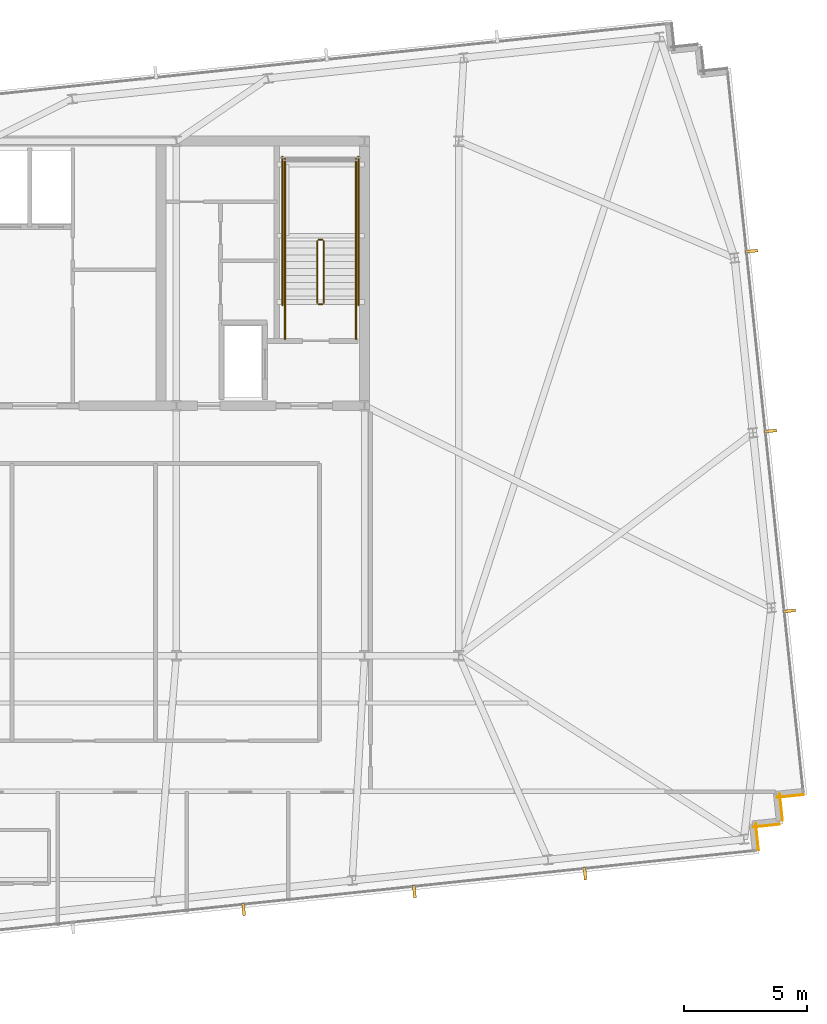
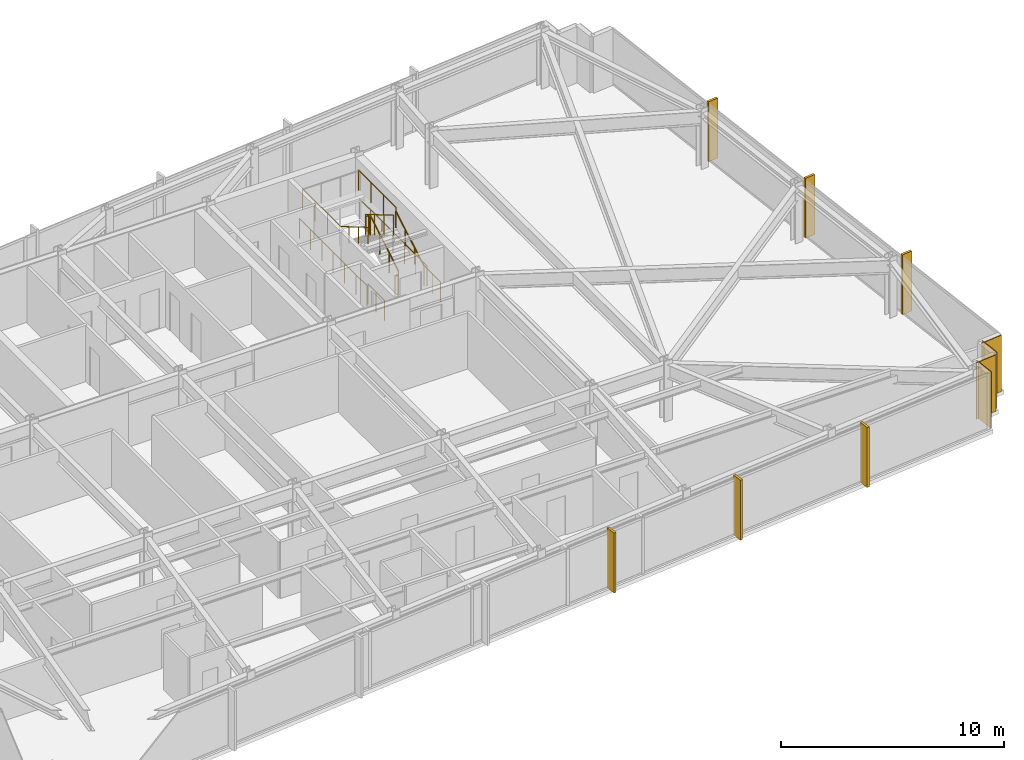
# One storey, part 31 of 32: 12 railings, 6 shading devices, 4 coverings.
"""IFC4 building model written with IfcOpenShell, lengths in metres."""

from ifc_helpers import new_model, si_unit, direction, frame, frame_2d, origin, origin_2d, place, context, subcontext, project, spatial, rectangle, circle, extrude, material, layer, layer_set, type_object, element, save


model = new_model("IFC4")

# Units and contexts
model_context = context("Model", 3, precision=1e-05, world=origin(), true_north=direction((0.0, 1.0)))
body_context = subcontext(model_context, "Body", "Model", "MODEL_VIEW")
ifc_project = project(units=[si_unit("LENGTHUNIT", "METRE"), si_unit("AREAUNIT", "SQUARE_METRE"), si_unit("VOLUMEUNIT", "CUBIC_METRE"), si_unit("PLANEANGLEUNIT", "RADIAN"), si_unit("MASSUNIT", "GRAM", prefix="KILO")], contexts=[model_context])

# Site, building, storey
site_placement = place(None, origin())
site = spatial("IfcSite", under=ifc_project, at=site_placement, CompositionType="ELEMENT")
building_placement = place(site_placement, origin())
building = spatial("IfcBuilding", under=site, at=building_placement, Name="Yelkora Congress Tower", CompositionType="ELEMENT")
storey_placement = place(building_placement, frame((0.0, 0.0, 214.39990234375)))
storey = spatial("IfcBuildingStorey", under=building, at=storey_placement, Name="L59", CompositionType="ELEMENT", Elevation=214.39990234375)

# Coverings
ifc_material_1 = material(Name="Anatolian bush-hammered limestone", Category="masonry")
ifc_layer_1 = layer(ifc_material_1, 0.0400390625)
ifc_layer_set_1 = layer_set([ifc_layer_1], Name="Anatolian bush-hammered limestone")
covering_type = type_object("IfcCoveringType", Name="COV-CLAD-SPANDREL-40", PredefinedType="CLADDING", material=ifc_layer_set_1)
for number, where, z_axis, x_axis, name in (
    (1, (71.668212890625, 19.535888671875, 0.0), (0.0, 0.0, 1.0), (-0.994544300928, -0.104315068386, 0.0), "L59 Anatolian Limestone Cladding EW-L59-SR16"),
    (2, (70.6943359375, 19.569580078125, 0.0), (0.0, 0.0, 1.0), (0.104534592565, -0.994521251134, 0.0), "L59 Anatolian Limestone Cladding EW-L59-SR17"),
    (3, (70.689208984375, 18.3271484375, 0.0), (0.0, 0.0, 1.0), (-0.994521251134, -0.104534592565, 0.0), "L59 Anatolian Limestone Cladding EW-L59-SR18"),
    (4, (69.71533203125, 18.360595703125, 0.0), (0.0, 0.0, 1.0), (0.104534592565, -0.994521251134, 0.0), "L59 Anatolian Limestone Cladding EW-L59-SR19"),
):
    element("IfcCovering", number, at=place(storey_placement, frame(where, z_axis=z_axis, x_axis=x_axis)), inside=storey, type_object=covering_type, Name=name, PredefinedType="CLADDING", context=body_context, shape_type="SweptSolid", body=[
        extrude(rectangle(XDim=1.10009765625, YDim=0.0400390625, at=frame_2d((0.550048828125, 0.0))), origin(), (0.0, 0.0, 1.0), 3.080078125),
    ])

# Railings
ifc_material_2 = material(Name="Painted galvanised steel stair well guard with vertical infill", Category="steel")
ifc_layer_2 = layer(ifc_material_2, 0.06005859375)
ifc_layer_set_2 = layer_set([ifc_layer_2], Name="Painted galvanised steel stair well guard with vertical infill")
railing_type_1 = type_object("IfcRailingType", Name="RAIL-STAIR-GUARD-1120", PredefinedType="GUARDRAIL", material=ifc_layer_set_2)
railing_1_placement = place(storey_placement, frame((52.090087890625, 39.60009765625, 0.1650390625)))
element("IfcRailing", 5, at=railing_1_placement, inside=storey, type_object=railing_type_1, Name="ST-02 L59 Stair Well Guardrail 1", PredefinedType="GUARDRAIL", context=body_context, shape_type="SweptSolid", body=[
    extrude(circle(Radius=0.02392578125, at=origin_2d()), frame((0.0, 0.0, 1.09619140625), z_axis=(0.0, 0.86152411907, 0.507716645641), x_axis=(-1.0, 0.0, 0.0)), (0.0, 0.0, 1.0), 2.925048828125),
    extrude(circle(Radius=0.02099609375, at=origin_2d()), origin(), (0.0, 0.0, 1.0), 1.072021484375),
    extrude(circle(Radius=0.02099609375, at=origin_2d()), frame((0.0, 0.840087890625, 0.4951171875)), (0.0, 0.0, 1.0), 1.072021484375),
    extrude(circle(Radius=0.02099609375, at=origin_2d()), frame((0.0, 1.679931640625, 0.989990234375)), (0.0, 0.0, 1.0), 1.072021484375),
    extrude(circle(Radius=0.02099609375, at=origin_2d()), frame((0.0, 2.52001953125, 1.485107421875)), (0.0, 0.0, 1.0), 1.072021484375),
])
railing_2_placement = place(storey_placement, frame((52.0400390625, 42.169921875, 1.650146484375)))
element("IfcRailing", 6, at=railing_2_placement, inside=storey, type_object=railing_type_1, Name="ST-02 L59 Stair Well Guardrail 2", PredefinedType="GUARDRAIL", context=body_context, shape_type="SweptSolid", body=[
    extrude(circle(Radius=0.02392578125, at=origin_2d()), frame((0.0, 0.0, 1.09619140625), z_axis=(-1.0, 0.0, 0.0), x_axis=(0.0, -1.0, 0.0)), (0.0, 0.0, 1.0), 0.16015625),
    extrude(circle(Radius=0.02099609375, at=origin_2d()), origin(), (0.0, 0.0, 1.0), 1.072021484375),
    extrude(circle(Radius=0.02099609375, at=origin_2d()), frame((-0.16015625, 0.0, 0.0)), (0.0, 0.0, 1.0), 1.072021484375),
])
for number, where, name in (
    (7, (53.409912109375, 42.1201171875, 1.650146484375), "ST-02 L59 Stair Well Guardrail 3"),
    (8, (50.510009765625, 42.1201171875, 1.650146484375), "ST-02 L59 Stair Well Guardrail 4"),
):
    element("IfcRailing", number, at=place(storey_placement, frame(where)), inside=storey, type_object=railing_type_1, Name=name, PredefinedType="GUARDRAIL", context=body_context, shape_type="SweptSolid", body=[
        extrude(circle(Radius=0.02392578125, at=origin_2d()), frame((0.0, 0.0, 1.09619140625), z_axis=(0.0, 1.0, 0.0), x_axis=(-1.0, 0.0, 0.0)), (0.0, 0.0, 1.0), 3.349853515625),
        extrude(circle(Radius=0.02099609375, at=origin_2d()), origin(), (0.0, 0.0, 1.0), 1.072021484375),
        extrude(circle(Radius=0.02099609375, at=origin_2d()), frame((0.0, 1.11669921875, 0.0)), (0.0, 0.0, 1.0), 1.072021484375),
        extrude(circle(Radius=0.02099609375, at=origin_2d()), frame((0.0, 2.233154296875, 0.0)), (0.0, 0.0, 1.0), 1.072021484375),
        extrude(circle(Radius=0.02099609375, at=origin_2d()), frame((0.0, 3.349853515625, 0.0)), (0.0, 0.0, 1.0), 1.072021484375),
    ])
railing_3_placement = place(storey_placement, frame((51.830078125, 42.1201171875, 1.815185546875)))
element("IfcRailing", 9, at=railing_3_placement, inside=storey, type_object=railing_type_1, Name="ST-02 L59 Stair Well Guardrail 6", PredefinedType="GUARDRAIL", context=body_context, shape_type="SweptSolid", body=[
    extrude(circle(Radius=0.02392578125, at=origin_2d()), frame((0.0, 0.0, 1.09619140625), z_axis=(0.0, -0.861560626758, 0.507654692109), x_axis=(1.0, 0.0, 0.0)), (0.0, 0.0, 1.0), 2.925048828125),
    extrude(circle(Radius=0.02099609375, at=origin_2d()), origin(), (0.0, 0.0, 1.0), 1.072021484375),
    extrude(circle(Radius=0.02099609375, at=origin_2d()), frame((0.0, -0.840087890625, 0.494873046875)), (0.0, 0.0, 1.0), 1.072021484375),
    extrude(circle(Radius=0.02099609375, at=origin_2d()), frame((0.0, -1.679931640625, 0.989990234375)), (0.0, 0.0, 1.0), 1.072021484375),
    extrude(circle(Radius=0.02099609375, at=origin_2d()), frame((0.0, -2.52001953125, 1.48486328125)), (0.0, 0.0, 1.0), 1.072021484375),
])
railing_4_placement = place(storey_placement, frame((52.0400390625, 39.550048828125, 0.0)))
element("IfcRailing", 10, at=railing_4_placement, inside=storey, type_object=railing_type_1, Name="ST-02 L59 Stair Well Guardrail 7", PredefinedType="GUARDRAIL", context=body_context, shape_type="SweptSolid", body=[
    extrude(circle(Radius=0.02392578125, at=origin_2d()), frame((0.0, 0.0, 1.09619140625), z_axis=(-1.0, 0.0, 0.0), x_axis=(0.0, -1.0, 0.0)), (0.0, 0.0, 1.0), 0.16015625),
    extrude(circle(Radius=0.02099609375, at=origin_2d()), origin(), (0.0, 0.0, 1.0), 1.072021484375),
    extrude(circle(Radius=0.02099609375, at=origin_2d()), frame((-0.16015625, 0.0, 0.0)), (0.0, 0.0, 1.0), 1.072021484375),
])
for number, where, name in (
    (11, (53.409912109375, 38.1201171875, 0.0), "ST-02 L59 Stair Well Guardrail 8"),
    (12, (50.510009765625, 38.1201171875, 0.0), "ST-02 L59 Stair Well Guardrail 9"),
):
    element("IfcRailing", number, at=place(storey_placement, frame(where)), inside=storey, type_object=railing_type_1, Name=name, PredefinedType="GUARDRAIL", context=body_context, shape_type="SweptSolid", body=[
        extrude(circle(Radius=0.02392578125, at=origin_2d()), frame((0.0, 0.0, 1.09619140625), z_axis=(0.0, 1.0, 0.0), x_axis=(-1.0, 0.0, 0.0)), (0.0, 0.0, 1.0), 1.47998046875),
        extrude(circle(Radius=0.02099609375, at=origin_2d()), origin(), (0.0, 0.0, 1.0), 1.072021484375),
        extrude(circle(Radius=0.02099609375, at=origin_2d()), frame((0.0, 0.739990234375, 0.0)), (0.0, 0.0, 1.0), 1.072021484375),
        extrude(circle(Radius=0.02099609375, at=origin_2d()), frame((0.0, 1.47998046875, 0.0)), (0.0, 0.0, 1.0), 1.072021484375),
    ])
for number, where, name in (
    (13, (53.510009765625, 39.5, 0.0), "ST-02 L59 Stair Well Guardrail 10"),
    (14, (50.409912109375, 39.5, 0.0), "ST-02 L59 Stair Well Guardrail 11"),
):
    element("IfcRailing", number, at=place(storey_placement, frame(where)), inside=storey, type_object=railing_type_1, Name=name, PredefinedType="GUARDRAIL", context=body_context, shape_type="SweptSolid", body=[
        extrude(circle(Radius=0.02392578125, at=origin_2d()), frame((0.0, 0.0, 1.09619140625), z_axis=(0.0, 1.0, 0.0), x_axis=(-1.0, 0.0, 0.0)), (0.0, 0.0, 1.0), 6.070068359375),
        extrude(circle(Radius=0.02099609375, at=origin_2d()), origin(), (0.0, 0.0, 1.0), 1.072021484375),
        extrude(circle(Radius=0.02099609375, at=origin_2d()), frame((0.0, 1.01171875, 0.0)), (0.0, 0.0, 1.0), 1.072021484375),
        extrude(circle(Radius=0.02099609375, at=origin_2d()), frame((0.0, 2.0234375, 0.0)), (0.0, 0.0, 1.0), 1.072021484375),
        extrude(circle(Radius=0.02099609375, at=origin_2d()), frame((0.0, 3.03515625, 0.0)), (0.0, 0.0, 1.0), 1.072021484375),
        extrude(circle(Radius=0.02099609375, at=origin_2d()), frame((0.0, 4.046630859375, 0.0)), (0.0, 0.0, 1.0), 1.072021484375),
        extrude(circle(Radius=0.02099609375, at=origin_2d()), frame((0.0, 5.058349609375, 0.0)), (0.0, 0.0, 1.0), 1.072021484375),
        extrude(circle(Radius=0.02099609375, at=origin_2d()), frame((0.0, 6.070068359375, 0.0)), (0.0, 0.0, 1.0), 1.072021484375),
    ])
ifc_material_3 = material(Name="Brushed stainless steel tubular handrail", Category="steel")
ifc_layer_3 = layer(ifc_material_3, 0.050048828125)
ifc_layer_set_3 = layer_set([ifc_layer_3], Name="Brushed stainless steel tubular handrail")
railing_type_2 = type_object("IfcRailingType", Name="RAIL-STAIR-HAND-920", PredefinedType="HANDRAIL", material=ifc_layer_set_3)
railing_5_placement = place(storey_placement, frame((53.409912109375, 39.60009765625, 0.1650390625)))
element("IfcRailing", 15, at=railing_5_placement, inside=storey, type_object=railing_type_2, Name="ST-02 L59 Pitch Handrail 1", PredefinedType="HANDRAIL", context=body_context, shape_type="SweptSolid", body=[
    extrude(circle(Radius=0.02392578125, at=origin_2d()), frame((0.0, 0.0, 0.89599609375), z_axis=(0.0, 0.86152411907, 0.507716645641), x_axis=(-1.0, 0.0, 0.0)), (0.0, 0.0, 1.0), 2.925048828125),
    extrude(circle(Radius=0.02099609375, at=origin_2d()), origin(), (0.0, 0.0, 1.0), 0.871826171875),
    extrude(circle(Radius=0.02099609375, at=origin_2d()), frame((0.0, 0.840087890625, 0.4951171875)), (0.0, 0.0, 1.0), 0.871826171875),
    extrude(circle(Radius=0.02099609375, at=origin_2d()), frame((0.0, 1.679931640625, 0.989990234375)), (0.0, 0.0, 1.0), 0.871826171875),
    extrude(circle(Radius=0.02099609375, at=origin_2d()), frame((0.0, 2.52001953125, 1.485107421875)), (0.0, 0.0, 1.0), 0.871826171875),
])
railing_6_placement = place(storey_placement, frame((50.510009765625, 42.1201171875, 1.815185546875)))
element("IfcRailing", 16, at=railing_6_placement, inside=storey, type_object=railing_type_2, Name="ST-02 L59 Pitch Handrail 2", PredefinedType="HANDRAIL", context=body_context, shape_type="SweptSolid", body=[
    extrude(circle(Radius=0.02392578125, at=origin_2d()), frame((0.0, 0.0, 0.89599609375), z_axis=(0.0, -0.861560626758, 0.507654692109), x_axis=(1.0, 0.0, 0.0)), (0.0, 0.0, 1.0), 2.925048828125),
    extrude(circle(Radius=0.02099609375, at=origin_2d()), origin(), (0.0, 0.0, 1.0), 0.871826171875),
    extrude(circle(Radius=0.02099609375, at=origin_2d()), frame((0.0, -0.840087890625, 0.494873046875)), (0.0, 0.0, 1.0), 0.871826171875),
    extrude(circle(Radius=0.02099609375, at=origin_2d()), frame((0.0, -1.679931640625, 0.989990234375)), (0.0, 0.0, 1.0), 0.871826171875),
    extrude(circle(Radius=0.02099609375, at=origin_2d()), frame((0.0, -2.52001953125, 1.48486328125)), (0.0, 0.0, 1.0), 0.871826171875),
])

# Shading devices
ifc_material_4 = material(Name="Champagne anodised aluminium", Category="aluminium")
ifc_layer_4 = layer(ifc_material_4, 3.300048828125)
ifc_layer_set_4 = layer_set([ifc_layer_4], Name="Champagne anodised aluminium")
shading_device_type = type_object("IfcShadingDeviceType", Name="SHD-FIN-ALU-520", PredefinedType="USERDEFINED", material=ifc_layer_set_4)
for number, where, z_axis, x_axis, name in (
    (17, (69.538818359375, 41.7099609375, -0.02978515625), (0.0, 0.0, 1.0), (0.104528463268, -0.994521895368, 0.0), "L59 Vertical Anodised Solar Fin 15-1"),
    (18, (70.31005859375, 34.370361328125, -0.02978515625), (0.0, 0.0, 1.0), (0.104528463268, -0.994521895368, 0.0), "L59 Vertical Anodised Solar Fin 15-2"),
    (19, (71.08154296875, 27.03076171875, -0.02978515625), (0.0, 0.0, 1.0), (0.104528463268, -0.994521895368, 0.0), "L59 Vertical Anodised Solar Fin 15-3"),
    (20, (62.75244140625, 16.321533203125, -0.02978515625), (0.0, 0.0, 1.0), (-0.994521895368, -0.104528463268, 0.0), "L59 Vertical Anodised Solar Fin 20-1"),
    (21, (55.7880859375, 15.589599609375, -0.02978515625), (0.0, 0.0, 1.0), (-0.994521895368, -0.104528463268, 0.0), "L59 Vertical Anodised Solar Fin 20-2"),
    (22, (48.823486328125, 14.857421875, -0.02978515625), (0.0, 0.0, 1.0), (-0.994521895368, -0.104528463268, 0.0), "L59 Vertical Anodised Solar Fin 20-3"),
):
    element("IfcShadingDevice", number, at=place(storey_placement, frame(where, z_axis=z_axis, x_axis=x_axis)), inside=storey, type_object=shading_device_type, Name=name, ObjectType="FIN", PredefinedType="USERDEFINED", context=body_context, shape_type="SweptSolid", body=[
        extrude(rectangle(XDim=0.1201171875, YDim=0.52001953125, at=origin_2d()), origin(), (0.0, 0.0, 1.0), 3.280029296875),
    ])

save(model, "model.ifc")
